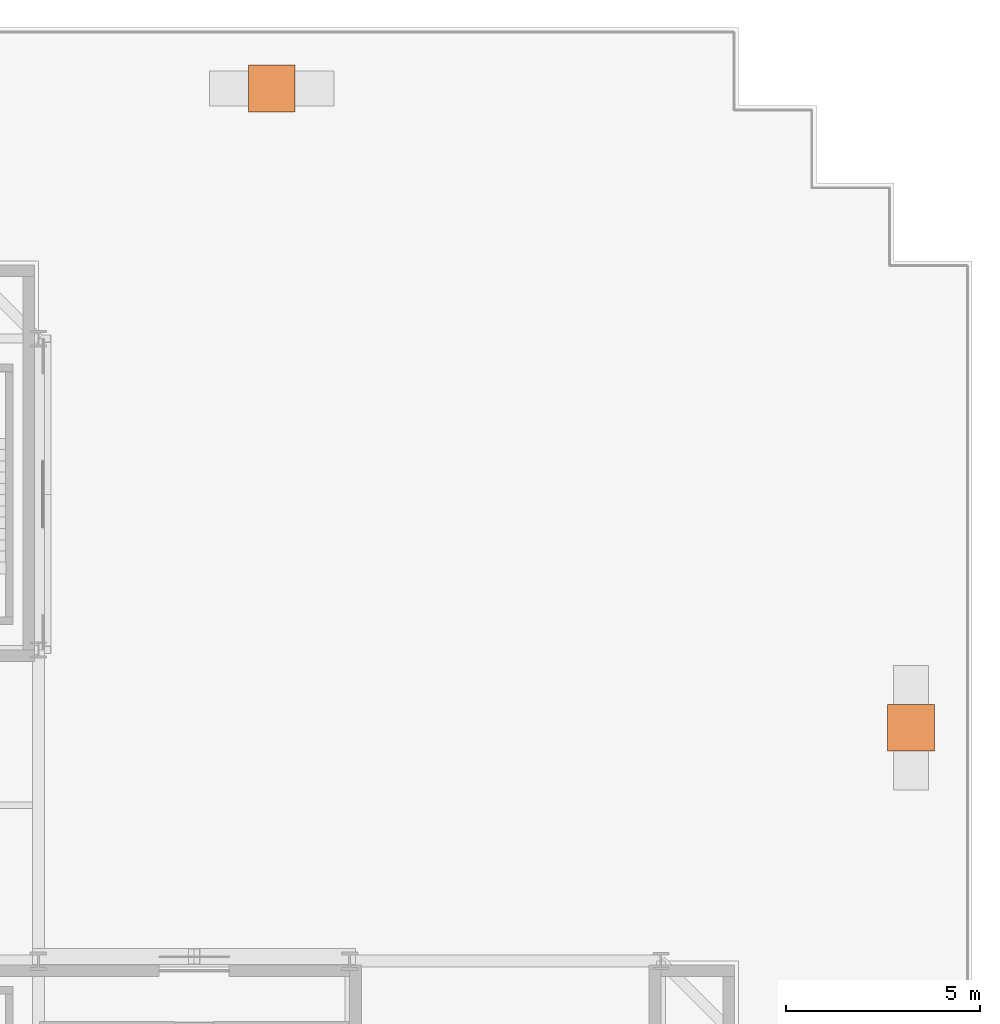
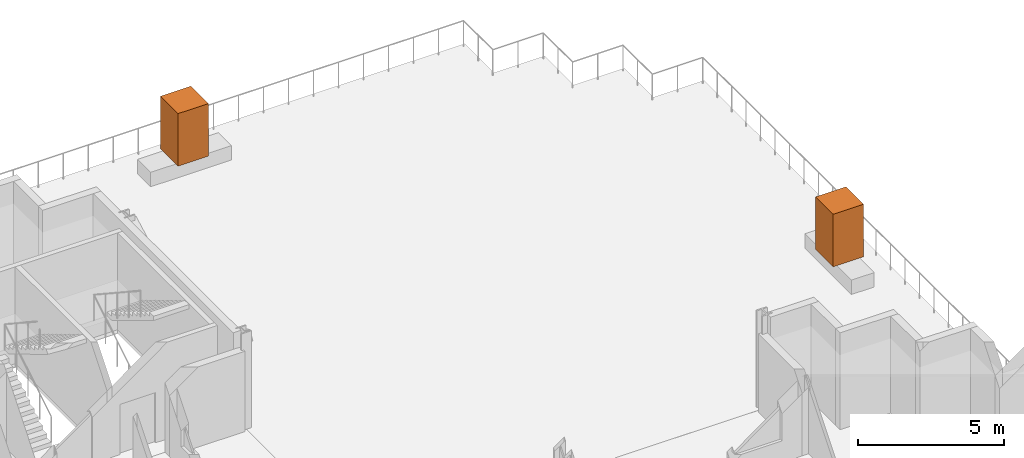
# One storey, part 12 of 12: 2 geographic elements.
"""IFC4 building model written with IfcOpenShell, lengths in metres."""

from ifc_helpers import new_model, si_unit, direction, frame, origin, origin_2d, place, context, subcontext, project, spatial, rectangle, extrude, material, type_object, element, save


model = new_model("IFC4")

# Units and contexts
model_context = context("Model", 3, precision=1e-05, world=origin(), true_north=direction((0.0, 1.0)))
body_context = subcontext(model_context, "Body", "Model", "MODEL_VIEW")
ifc_project = project(units=[si_unit("LENGTHUNIT", "METRE"), si_unit("AREAUNIT", "SQUARE_METRE"), si_unit("VOLUMEUNIT", "CUBIC_METRE"), si_unit("PLANEANGLEUNIT", "RADIAN"), si_unit("MASSUNIT", "GRAM", prefix="KILO")], contexts=[model_context])

# Site, building, storey
site_placement = place(None, origin())
site = spatial("IfcSite", under=ifc_project, at=site_placement, CompositionType="ELEMENT")
building_placement = place(site_placement, origin())
building = spatial("IfcBuilding", under=site, at=building_placement, Name="Immortelle Media Tower", CompositionType="ELEMENT")
storey_placement = place(building_placement, frame((0.0, 0.0, 120.0)))
storey = spatial("IfcBuildingStorey", under=building, at=storey_placement, Name="L23", CompositionType="ELEMENT", Elevation=120.0)

# Geographic elements
ifc_material = material(Name="Tree canopy foliage")
geographic_element_type = type_object("IfcGeographicElementType", Name="Tree", PredefinedType="USERDEFINED", material=ifc_material)
for number, where, z_axis, x_axis, name in (
    (1, (30.0009765625, 46.429931640625, 0.60009765625), (0.0, 0.0, 1.0), (1.0, 0.0, 0.0), "Terrace tree L23 NE0.0-1"),
    (2, (46.429931640625, 30.0009765625, 0.60009765625), (0.0, 0.0, 1.0), (1.0, 0.0, 0.0), "Terrace tree L23 NE0.0-2"),
):
    element("IfcGeographicElement", number, at=place(storey_placement, frame(where, z_axis=z_axis, x_axis=x_axis)), inside=storey, type_object=geographic_element_type, Name=name, ObjectType="Tree", PredefinedType="USERDEFINED", context=body_context, shape_type="SweptSolid", body=[
        extrude(rectangle(XDim=1.199951171875, YDim=1.199951171875, at=origin_2d()), origin(), (0.0, 0.0, 1.0), 2.199951171875),
    ])

save(model, "model.ifc")
